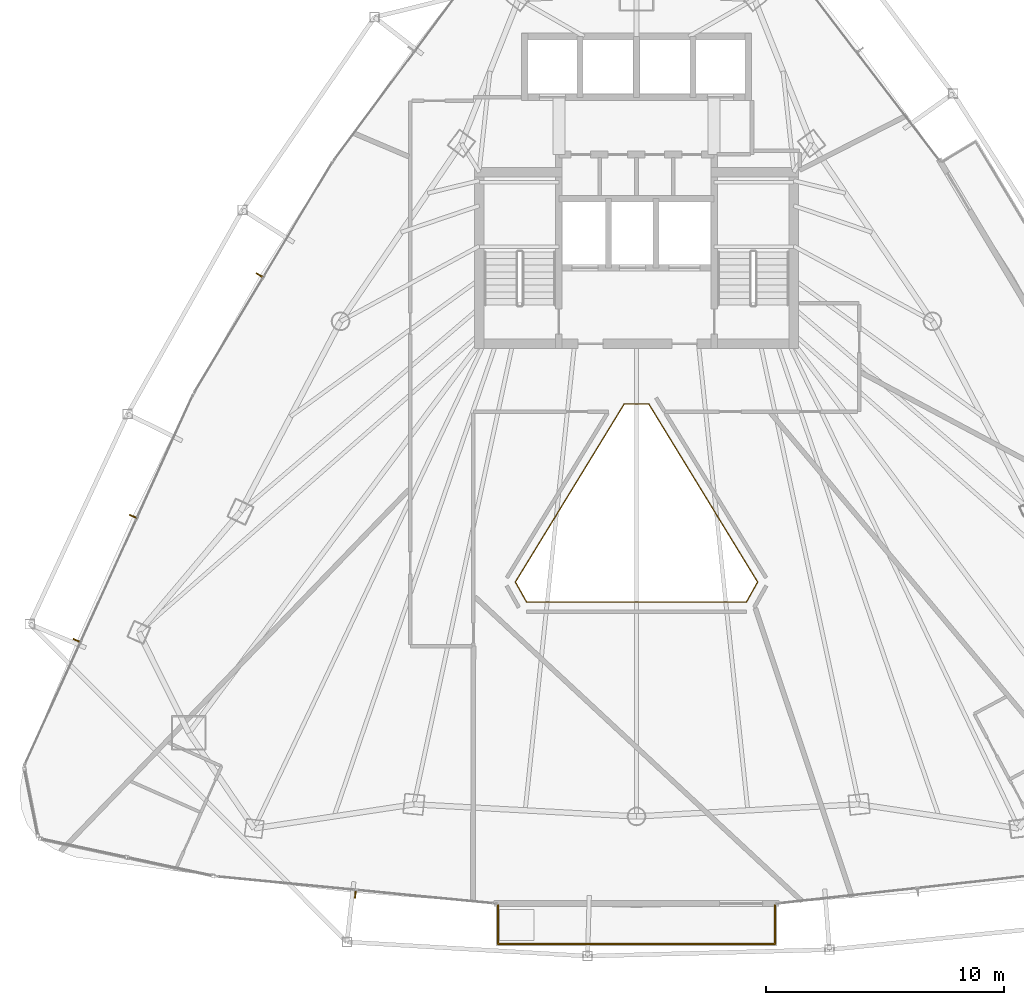
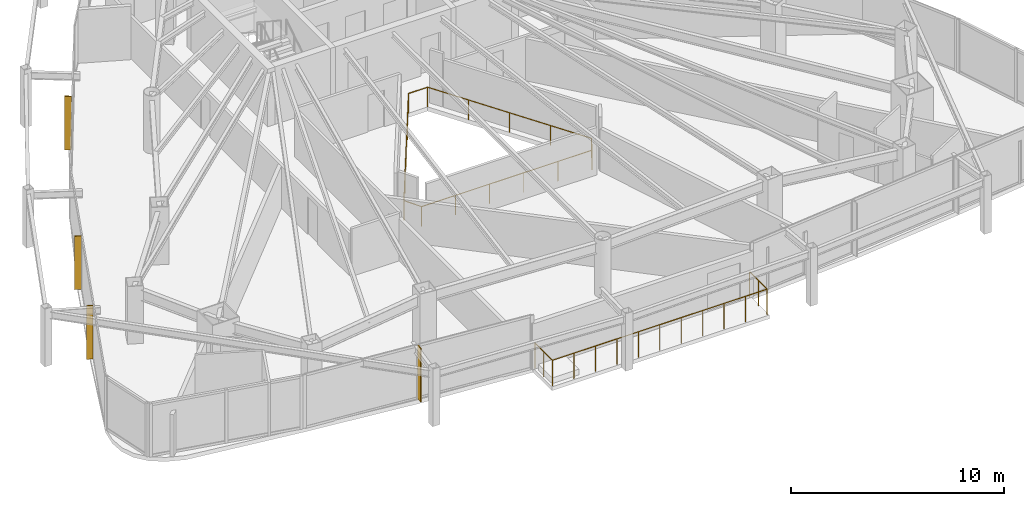
# One storey, part 29 of 31: 4 shading devices, 2 railings.
"""IFC4 building model written with IfcOpenShell, lengths in metres."""

from ifc_helpers import new_model, si_unit, direction, frame, origin, origin_2d, place, context, subcontext, project, spatial, rectangle, circle, extrude, material, layer, layer_set, type_object, element, save


model = new_model("IFC4")

# Units and contexts
model_context = context("Model", 3, precision=1e-05, world=origin(), true_north=direction((0.0, 1.0)))
body_context = subcontext(model_context, "Body", "Model", "MODEL_VIEW")
ifc_project = project(units=[si_unit("LENGTHUNIT", "METRE"), si_unit("AREAUNIT", "SQUARE_METRE"), si_unit("VOLUMEUNIT", "CUBIC_METRE"), si_unit("PLANEANGLEUNIT", "RADIAN"), si_unit("MASSUNIT", "GRAM", prefix="KILO")], contexts=[model_context])

# Site, building, storey
site_placement = place(None, origin())
site = spatial("IfcSite", under=ifc_project, at=site_placement, CompositionType="ELEMENT")
building_placement = place(site_placement, origin())
building = spatial("IfcBuilding", under=site, at=building_placement, Name="Orvanel Arch Residences", CompositionType="ELEMENT")
storey_placement = place(building_placement, frame((0.0, 0.0, 129.800048828125)))
storey = spatial("IfcBuildingStorey", under=building, at=storey_placement, Name="L36", CompositionType="ELEMENT", Elevation=129.800048828125)

# Shading devices
ifc_material = material(Name="Bronze-anodised aluminium AA6063-T6", Category="aluminium")
ifc_layer = layer(ifc_material, 0.054931640625)
ifc_layer_set = layer_set([ifc_layer], Name="Bronze-anodised aluminium AA6063-T6")
shading_device_type = type_object("IfcShadingDeviceType", Name="FIN-BRZ-320", PredefinedType="USERDEFINED", material=ifc_layer_set)
for number, where, z_axis, x_axis, name in (
    (1, (17.162109375, 29.58203125, 0.0), (0.0, 0.0, 1.0), (-0.857167300702, 0.51503807491, 0.0), "L36 Anodised Bronze Mullion FIN 01"),
    (2, (11.843994140625, 19.448974609375, 0.0), (0.0, 0.0, 1.0), (-0.910683660806, 0.413104429825, 0.0), "L36 Anodised Bronze Mullion FIN 01"),
    (3, (9.47509765625, 14.239013671875, 0.0), (0.0, 0.0, 1.0), (-0.910683660806, 0.413104429825, 0.0), "L36 Anodised Bronze Mullion FIN 02"),
    (4, (21.19189453125, 3.570068359375, 0.0), (0.0, 0.0, 1.0), (-0.09584575252, -0.995396198367, 0.0), "L36 Anodised Bronze Mullion FIN 01"),
):
    element("IfcShadingDevice", number, at=place(storey_placement, frame(where, z_axis=z_axis, x_axis=x_axis)), inside=storey, type_object=shading_device_type, Name=name, ObjectType="FIN", PredefinedType="USERDEFINED", context=body_context, shape_type="SweptSolid", body=[
        extrude(rectangle(XDim=0.320068359375, YDim=0.054931640625, at=origin_2d()), origin(), (0.0, 0.0, 1.0), 3.06005859375),
    ])

# Railings
railing_type_1 = type_object("IfcRailingType", Name="RL-ATR-1150", PredefinedType="BALUSTRADE", material=ifc_material)
railing_1_placement = place(storey_placement, frame((33.514892578125, 24.1689453125, 0.0)))
element("IfcRailing", 5, at=railing_1_placement, inside=storey, type_object=railing_type_1, Name="L36 Atrium Void Protective Balustrade", PredefinedType="BALUSTRADE", context=body_context, shape_type="SweptSolid", body=[
    extrude(circle(Radius=0.02392578125, at=origin_2d()), frame((-0.00146484375, 0.0, 1.1259765625), z_axis=(-1.0, 0.0, 0.0), x_axis=(0.0, -1.0, 0.0)), (0.0, 0.0, 1.0), 1.02685546875),
    extrude(circle(Radius=0.02392578125, at=origin_2d()), frame((-1.030517578125, -0.001220703125, 1.1259765625), z_axis=(-0.521594240044, -0.853193675992, 0.0), x_axis=(0.853193675992, -0.521594240044, 0.0)), (0.0, 0.0, 1.0), 8.760498046875),
    extrude(circle(Radius=0.02392578125, at=origin_2d()), frame((-5.60009765625, -7.478271484375, 1.1259765625), z_axis=(0.488580278854, -0.872518945992, 0.0), x_axis=(0.872518945992, 0.488580278854, 0.0)), (0.0, 0.0, 1.0), 0.962890625),
    extrude(circle(Radius=0.02392578125, at=origin_2d()), frame((-5.12744140625, -8.31982421875, 1.1259765625), z_axis=(1.0, 0.0, 0.0), x_axis=(0.0, 1.0, 0.0)), (0.0, 0.0, 1.0), 9.22509765625),
    extrude(circle(Radius=0.02392578125, at=origin_2d()), frame((4.099853515625, -8.318603515625, 1.1259765625), z_axis=(0.488580278854, 0.872518945992, 0.0), x_axis=(-0.872518945992, 0.488580278854, 0.0)), (0.0, 0.0, 1.0), 0.962890625),
    extrude(circle(Radius=0.02392578125, at=origin_2d()), frame((4.5703125, -7.475830078125, 1.1259765625), z_axis=(-0.521594240044, 0.853193675992, 0.0), x_axis=(-0.853193675992, -0.521594240044, 0.0)), (0.0, 0.0, 1.0), 8.760498046875),
    extrude(circle(Radius=0.02099609375, at=origin_2d()), origin(), (0.0, 0.0, 1.0), 1.099853515625),
    extrude(circle(Radius=0.02099609375, at=origin_2d()), frame((-1.02978515625, 0.0, 0.0)), (0.0, 0.0, 1.0), 1.099853515625),
    extrude(circle(Radius=0.02099609375, at=origin_2d()), frame((-2.172607421875, -1.869140625, 0.0)), (0.0, 0.0, 1.0), 1.099853515625),
    extrude(circle(Radius=0.02099609375, at=origin_2d()), frame((-3.3154296875, -3.738525390625, 0.0)), (0.0, 0.0, 1.0), 1.099853515625),
    extrude(circle(Radius=0.02099609375, at=origin_2d()), frame((-4.4580078125, -5.60791015625, 0.0)), (0.0, 0.0, 1.0), 1.099853515625),
    extrude(circle(Radius=0.02099609375, at=origin_2d()), frame((-5.600830078125, -7.47705078125, 0.0)), (0.0, 0.0, 1.0), 1.099853515625),
    extrude(circle(Radius=0.02099609375, at=origin_2d()), frame((-5.12890625, -8.31982421875, 0.0)), (0.0, 0.0, 1.0), 1.099853515625),
    extrude(circle(Radius=0.02099609375, at=origin_2d()), frame((-3.283203125, -8.31982421875, 0.0)), (0.0, 0.0, 1.0), 1.099853515625),
    extrude(circle(Radius=0.02099609375, at=origin_2d()), frame((-1.437744140625, -8.31982421875, 0.0)), (0.0, 0.0, 1.0), 1.099853515625),
    extrude(circle(Radius=0.02099609375, at=origin_2d()), frame((0.407958984375, -8.31982421875, 0.0)), (0.0, 0.0, 1.0), 1.099853515625),
    extrude(circle(Radius=0.02099609375, at=origin_2d()), frame((2.25341796875, -8.31982421875, 0.0)), (0.0, 0.0, 1.0), 1.099853515625),
    extrude(circle(Radius=0.02099609375, at=origin_2d()), frame((4.09912109375, -8.31982421875, 0.0)), (0.0, 0.0, 1.0), 1.099853515625),
    extrude(circle(Radius=0.02099609375, at=origin_2d()), frame((4.571044921875, -7.47705078125, 0.0)), (0.0, 0.0, 1.0), 1.099853515625),
    extrude(circle(Radius=0.02099609375, at=origin_2d()), frame((3.42822265625, -5.60791015625, 0.0)), (0.0, 0.0, 1.0), 1.099853515625),
    extrude(circle(Radius=0.02099609375, at=origin_2d()), frame((2.28564453125, -3.738525390625, 0.0)), (0.0, 0.0, 1.0), 1.099853515625),
    extrude(circle(Radius=0.02099609375, at=origin_2d()), frame((1.142822265625, -1.869140625, 0.0)), (0.0, 0.0, 1.0), 1.099853515625),
])
railing_type_2 = type_object("IfcRailingType", Name="RL-BAL-1480", PredefinedType="BALUSTRADE", material=ifc_material)
railing_2_placement = place(storey_placement, frame((27.18505859375, 3.125, 0.0)))
element("IfcRailing", 6, at=railing_2_placement, inside=storey, type_object=railing_type_2, Name="L36 Balcony Perimeter Guardrail Face 2", PredefinedType="BALUSTRADE", context=body_context, shape_type="SweptSolid", body=[
    extrude(circle(Radius=0.02392578125, at=origin_2d()), frame((0.0, -0.00146484375, 1.4560546875), z_axis=(0.0, -1.0, 0.0), x_axis=(1.0, 0.0, 0.0)), (0.0, 0.0, 1.0), 1.636962890625),
    extrude(circle(Radius=0.02392578125, at=origin_2d()), frame((0.00146484375, -1.639892578125, 1.4560546875), z_axis=(1.0, 0.0, 0.0), x_axis=(0.0, 1.0, 0.0)), (0.0, 0.0, 1.0), 11.626953125),
    extrude(circle(Radius=0.02392578125, at=origin_2d()), frame((11.6298828125, -1.638427734375, 1.4560546875), z_axis=(0.0, 1.0, 0.0), x_axis=(-1.0, 0.0, 0.0)), (0.0, 0.0, 1.0), 1.636962890625),
    extrude(circle(Radius=0.02099609375, at=origin_2d()), origin(), (0.0, 0.0, 1.0), 1.429931640625),
    extrude(circle(Radius=0.02099609375, at=origin_2d()), frame((0.0, -0.81982421875, 0.0)), (0.0, 0.0, 1.0), 1.429931640625),
    extrude(circle(Radius=0.02099609375, at=origin_2d()), frame((0.0, -1.639892578125, 0.0)), (0.0, 0.0, 1.0), 1.429931640625),
    extrude(circle(Radius=0.02099609375, at=origin_2d()), frame((1.1630859375, -1.639892578125, 0.0)), (0.0, 0.0, 1.0), 1.429931640625),
    extrude(circle(Radius=0.02099609375, at=origin_2d()), frame((2.325927734375, -1.639892578125, 0.0)), (0.0, 0.0, 1.0), 1.429931640625),
    extrude(circle(Radius=0.02099609375, at=origin_2d()), frame((3.489013671875, -1.639892578125, 0.0)), (0.0, 0.0, 1.0), 1.429931640625),
    extrude(circle(Radius=0.02099609375, at=origin_2d()), frame((4.65185546875, -1.639892578125, 0.0)), (0.0, 0.0, 1.0), 1.429931640625),
    extrude(circle(Radius=0.02099609375, at=origin_2d()), frame((5.81494140625, -1.639892578125, 0.0)), (0.0, 0.0, 1.0), 1.429931640625),
    extrude(circle(Radius=0.02099609375, at=origin_2d()), frame((6.97802734375, -1.639892578125, 0.0)), (0.0, 0.0, 1.0), 1.429931640625),
    extrude(circle(Radius=0.02099609375, at=origin_2d()), frame((8.140869140625, -1.639892578125, 0.0)), (0.0, 0.0, 1.0), 1.429931640625),
    extrude(circle(Radius=0.02099609375, at=origin_2d()), frame((9.303955078125, -1.639892578125, 0.0)), (0.0, 0.0, 1.0), 1.429931640625),
    extrude(circle(Radius=0.02099609375, at=origin_2d()), frame((10.466796875, -1.639892578125, 0.0)), (0.0, 0.0, 1.0), 1.429931640625),
    extrude(circle(Radius=0.02099609375, at=origin_2d()), frame((11.6298828125, -1.639892578125, 0.0)), (0.0, 0.0, 1.0), 1.429931640625),
    extrude(circle(Radius=0.02099609375, at=origin_2d()), frame((11.6298828125, -0.81982421875, 0.0)), (0.0, 0.0, 1.0), 1.429931640625),
    extrude(circle(Radius=0.02099609375, at=origin_2d()), frame((11.6298828125, 0.0, 0.0)), (0.0, 0.0, 1.0), 1.429931640625),
])

save(model, "model.ifc")
